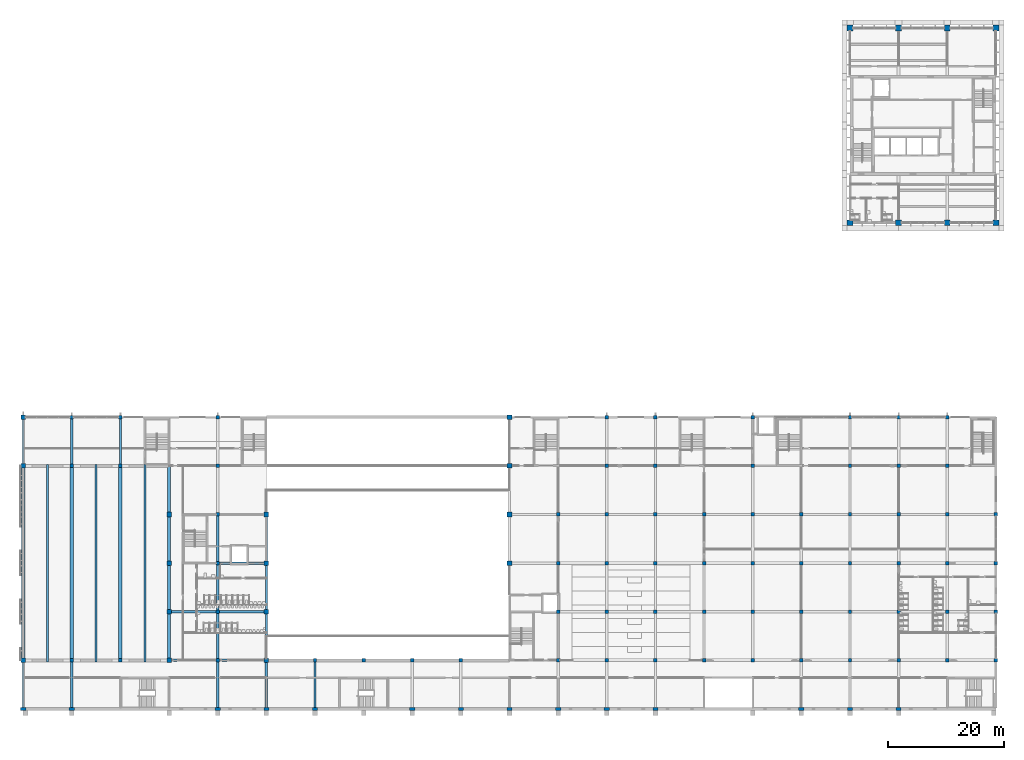
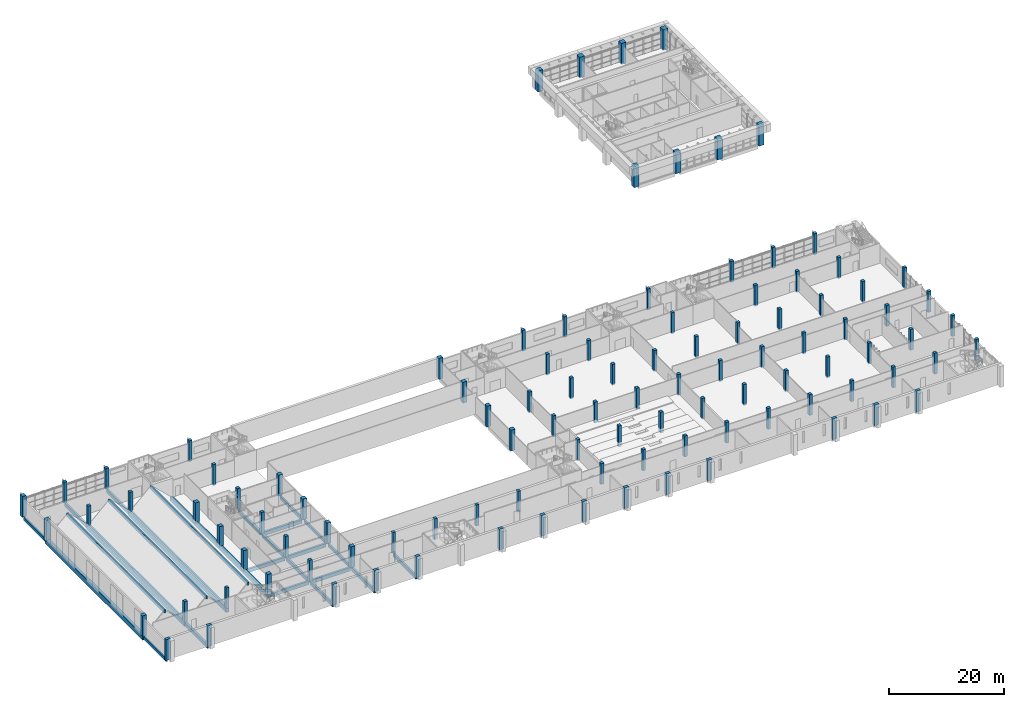
# One storey, part 1 of 56: 105 columns, 26 beams.
"""IFC4 building model written with IfcOpenShell, lengths in metres."""

from ifc_helpers import new_model, si_unit, direction, frame, origin, origin_2d, place, context, subcontext, project, spatial, rectangle, extrude, material, material_profile, profile_set, type_object, element, save


model = new_model("IFC4")

# Units and contexts
model_context = context("Model", 3, precision=1e-05, world=origin(), true_north=direction((0.0, 1.0)))
body_context = subcontext(model_context, "Body", "Model", "MODEL_VIEW")
ifc_project = project(units=[si_unit("LENGTHUNIT", "METRE"), si_unit("AREAUNIT", "SQUARE_METRE"), si_unit("VOLUMEUNIT", "CUBIC_METRE"), si_unit("PLANEANGLEUNIT", "RADIAN"), si_unit("MASSUNIT", "GRAM", prefix="KILO")], contexts=[model_context])

# Site, building, storey
site_placement = place(None, origin())
site = spatial("IfcSite", under=ifc_project, at=site_placement, CompositionType="ELEMENT")
building_placement = place(site_placement, origin())
building = spatial("IfcBuilding", under=site, at=building_placement, Name="Rulbaag Community and Learning Centre", CompositionType="ELEMENT")
storey_placement = place(building_placement, frame((0.0, 0.0, 9.89990234375)))
storey = spatial("IfcBuildingStorey", under=building, at=storey_placement, Name="L02", CompositionType="ELEMENT", Elevation=9.89990234375)

# Columns
ifc_material_1 = material(Name="Concrete M40", Category="concrete")
ifc_material_profile_1 = material_profile(ifc_material_1, rectangle(XDim=0.89990234375, YDim=0.60009765625, at=origin_2d()), Name="RC900x600")
ifc_profile_set_1 = profile_set([ifc_material_profile_1], Name="Concrete M40")
column_type_1 = type_object("IfcColumnType", Name="C1 Pilaster 900x600 Concrete M40", PredefinedType="PILASTER", material=ifc_profile_set_1)
for number, where, z_axis, x_axis, name in (
    (1, (0.0, 0.0, -0.25), (0.0, 0.0, 1.0), (1.0, 0.0, 0.0), "COL-1A-L02"),
    (2, (8.39990234375, 0.0, -0.25), (0.0, 0.0, 1.0), (1.0, 0.0, 0.0), "COL-2A-L02"),
    (3, (33.60009765625, 0.0, -0.25), (0.0, 0.0, 1.0), (1.0, 0.0, 0.0), "COL-5A-L02"),
    (4, (42.0, 0.0, -0.25), (0.0, 0.0, 1.0), (1.0, 0.0, 0.0), "COL-6A-L02"),
    (5, (50.39990234375, 0.0, -0.25), (0.0, 0.0, 1.0), (1.0, 0.0, 0.0), "COL-7A-L02"),
    (6, (67.199951171875, 0.0, -0.25), (0.0, 0.0, 1.0), (1.0, 0.0, 0.0), "COL-9A-L02"),
    (7, (75.60009765625, 0.0, -0.25), (0.0, 0.0, 1.0), (1.0, 0.0, 0.0), "COL-10A-L02"),
    (8, (84.0, 0.0, -0.25), (0.0, 0.0, 1.0), (1.0, 0.0, 0.0), "COL-11A-L02"),
    (9, (92.39990234375, 0.0, -0.25), (0.0, 0.0, 1.0), (1.0, 0.0, 0.0), "COL-12A-L02"),
    (10, (100.800048828125, 0.0, -0.25), (0.0, 0.0, 1.0), (1.0, 0.0, 0.0), "COL-13A-L02"),
    (11, (109.199951171875, 0.0, -0.25), (0.0, 0.0, 1.0), (1.0, 0.0, 0.0), "COL-14A-L02"),
    (12, (134.39990234375, 0.0, -0.25), (0.0, 0.0, 1.0), (1.0, 0.0, 0.0), "COL-17A-L02"),
    (13, (142.800048828125, 0.0, -0.25), (0.0, 0.0, 1.0), (1.0, 0.0, 0.0), "COL-18A-L02"),
    (14, (151.199951171875, 0.0, -0.25), (0.0, 0.0, 1.0), (1.0, 0.0, 0.0), "COL-19A-L02"),
):
    element("IfcColumn", number, at=place(storey_placement, frame(where, z_axis=z_axis, x_axis=x_axis)), inside=storey, type_object=column_type_1, Name=name, PredefinedType="PILASTER", context=body_context, shape_type="SweptSolid", body=[
        extrude(rectangle(XDim=0.89990234375, YDim=0.60009765625, at=origin_2d()), origin(), (0.0, 0.0, 1.0), 4.4501953125),
    ])
ifc_material_2 = material(Name="Concrete M60", Category="concrete")
ifc_material_profile_2 = material_profile(ifc_material_2, rectangle(XDim=1.0, YDim=1.0, at=origin_2d()), Name="RC1000x1000")
ifc_profile_set_2 = profile_set([ifc_material_profile_2], Name="Concrete M60")
column_type_2 = type_object("IfcColumnType", Name="C10 Column 1000x1000 Concrete M60", PredefinedType="COLUMN", material=ifc_profile_set_2)
for number, where, z_axis, x_axis, name in (
    (15, (142.800048828125, 84.0, -0.25), (0.0, 0.0, 1.0), (1.0, 0.0, 0.0), "COL-18K-L02"),
    (16, (142.800048828125, 117.60009765625, -0.25), (0.0, 0.0, 1.0), (1.0, 0.0, 0.0), "COL-18O-L02"),
    (17, (151.199951171875, 84.0, -0.25), (0.0, 0.0, 1.0), (1.0, 0.0, 0.0), "COL-19K-L02"),
    (18, (151.199951171875, 117.60009765625, -0.25), (0.0, 0.0, 1.0), (1.0, 0.0, 0.0), "COL-19O-L02"),
    (19, (159.60009765625, 84.0, -0.25), (0.0, 0.0, 1.0), (1.0, 0.0, 0.0), "COL-20K-L02"),
    (20, (159.60009765625, 117.60009765625, -0.25), (0.0, 0.0, 1.0), (1.0, 0.0, 0.0), "COL-20O-L02"),
    (21, (168.0, 84.0, -0.25), (0.0, 0.0, 1.0), (1.0, 0.0, 0.0), "COL-21K-L02"),
    (22, (168.0, 117.60009765625, -0.25), (0.0, 0.0, 1.0), (1.0, 0.0, 0.0), "COL-21O-L02"),
):
    element("IfcColumn", number, at=place(storey_placement, frame(where, z_axis=z_axis, x_axis=x_axis)), inside=storey, type_object=column_type_2, Name=name, PredefinedType="COLUMN", context=body_context, shape_type="SweptSolid", body=[
        extrude(rectangle(XDim=1.0, YDim=1.0, at=origin_2d()), origin(), (0.0, 0.0, 1.0), 4.4501953125),
    ])
ifc_material_profile_3 = material_profile(ifc_material_2, rectangle(XDim=0.800048828125, YDim=0.800048828125, at=origin_2d()), Name="RC800x800")
ifc_profile_set_3 = profile_set([ifc_material_profile_3], Name="Concrete M60")
column_type_3 = type_object("IfcColumnType", Name="C4 Column 800x800 Concrete M60", PredefinedType="COLUMN", material=ifc_profile_set_3)
for number, where, z_axis, x_axis, name in (
    (23, (0.0, 8.39990234375, -0.25), (0.0, 0.0, 1.0), (1.0, 0.0, 0.0), "COL-1B-L02"),
    (24, (0.0, 42.0, -0.25), (0.0, 0.0, 1.0), (1.0, 0.0, 0.0), "COL-1F-L02"),
    (25, (0.0, 50.39990234375, -0.25), (0.0, 0.0, 1.0), (1.0, 0.0, 0.0), "COL-1G-L02"),
    (26, (25.199951171875, 8.39990234375, -0.25), (0.0, 0.0, 1.0), (1.0, 0.0, 0.0), "COL-4B-L02"),
    (27, (25.199951171875, 16.800048828125, -0.25), (0.0, 0.0, 1.0), (1.0, 0.0, 0.0), "COL-4C-L02"),
    (28, (25.199951171875, 25.199951171875, -0.25), (0.0, 0.0, 1.0), (1.0, 0.0, 0.0), "COL-4D-L02"),
    (29, (25.199951171875, 33.60009765625, -0.25), (0.0, 0.0, 1.0), (1.0, 0.0, 0.0), "COL-4E-L02"),
    (30, (42.0, 8.39990234375, -0.25), (0.0, 0.0, 1.0), (1.0, 0.0, 0.0), "COL-6B-L02"),
    (31, (42.0, 16.800048828125, -0.25), (0.0, 0.0, 1.0), (1.0, 0.0, 0.0), "COL-6C-L02"),
    (32, (42.0, 25.199951171875, -0.25), (0.0, 0.0, 1.0), (1.0, 0.0, 0.0), "COL-6D-L02"),
    (33, (42.0, 33.60009765625, -0.25), (0.0, 0.0, 1.0), (1.0, 0.0, 0.0), "COL-6E-L02"),
    (34, (84.0, 25.199951171875, -0.25), (0.0, 0.0, 1.0), (1.0, 0.0, 0.0), "COL-11D-L02"),
    (35, (84.0, 33.60009765625, -0.25), (0.0, 0.0, 1.0), (1.0, 0.0, 0.0), "COL-11E-L02"),
    (36, (84.0, 42.0, -0.25), (0.0, 0.0, 1.0), (1.0, 0.0, 0.0), "COL-11F-L02"),
    (37, (84.0, 50.39990234375, -0.25), (0.0, 0.0, 1.0), (1.0, 0.0, 0.0), "COL-11G-L02"),
):
    element("IfcColumn", number, at=place(storey_placement, frame(where, z_axis=z_axis, x_axis=x_axis)), inside=storey, type_object=column_type_3, Name=name, PredefinedType="COLUMN", context=body_context, shape_type="SweptSolid", body=[
        extrude(rectangle(XDim=0.800048828125, YDim=0.800048828125, at=origin_2d()), origin(), (0.0, 0.0, 1.0), 4.4501953125),
    ])
ifc_material_profile_4 = material_profile(ifc_material_1, rectangle(XDim=0.60009765625, YDim=0.60009765625, at=origin_2d()), Name="RC600x600")
ifc_profile_set_4 = profile_set([ifc_material_profile_4], Name="Concrete M40")
column_type_4 = type_object("IfcColumnType", Name="C7 Column 600x600 Concrete M40", PredefinedType="COLUMN", material=ifc_profile_set_4)
for number, where, z_axis, x_axis, name in (
    (38, (8.39990234375, 8.39990234375, -0.25), (0.0, 0.0, 1.0), (1.0, 0.0, 0.0), "COL-2B-L02"),
    (39, (8.39990234375, 42.0, -0.25), (0.0, 0.0, 1.0), (1.0, 0.0, 0.0), "COL-2F-L02"),
    (40, (8.39990234375, 50.39990234375, -0.25), (0.0, 0.0, 1.0), (1.0, 0.0, 0.0), "COL-2G-L02"),
    (41, (16.800048828125, 8.39990234375, -0.25), (0.0, 0.0, 1.0), (1.0, 0.0, 0.0), "COL-3B-L02"),
    (42, (16.800048828125, 42.0, -0.25), (0.0, 0.0, 1.0), (1.0, 0.0, 0.0), "COL-3F-L02"),
    (43, (16.800048828125, 50.39990234375, -0.25), (0.0, 0.0, 1.0), (1.0, 0.0, 0.0), "COL-3G-L02"),
    (44, (33.60009765625, 8.39990234375, -0.25), (0.0, 0.0, 1.0), (1.0, 0.0, 0.0), "COL-5B-L02"),
    (45, (33.60009765625, 16.800048828125, -0.25), (0.0, 0.0, 1.0), (1.0, 0.0, 0.0), "COL-5C-L02"),
    (46, (33.60009765625, 25.199951171875, -0.25), (0.0, 0.0, 1.0), (1.0, 0.0, 0.0), "COL-5D-L02"),
    (47, (33.60009765625, 33.60009765625, -0.25), (0.0, 0.0, 1.0), (1.0, 0.0, 0.0), "COL-5E-L02"),
    (48, (33.60009765625, 42.0, -0.25), (0.0, 0.0, 1.0), (1.0, 0.0, 0.0), "COL-5F-L02"),
    (49, (33.60009765625, 50.39990234375, -0.25), (0.0, 0.0, 1.0), (1.0, 0.0, 0.0), "COL-5G-L02"),
    (50, (50.39990234375, 8.39990234375, -0.25), (0.0, 0.0, 1.0), (1.0, 0.0, 0.0), "COL-7B-L02"),
    (51, (58.800048828125, 8.39990234375, -0.25), (0.0, 0.0, 1.0), (1.0, 0.0, 0.0), "COL-8B-L02"),
    (52, (67.199951171875, 8.39990234375, -0.25), (0.0, 0.0, 1.0), (1.0, 0.0, 0.0), "COL-9B-L02"),
    (53, (75.60009765625, 8.39990234375, -0.25), (0.0, 0.0, 1.0), (1.0, 0.0, 0.0), "COL-10B-L02"),
    (54, (92.39990234375, 8.39990234375, -0.25), (0.0, 0.0, 1.0), (1.0, 0.0, 0.0), "COL-12B-L02"),
    (55, (92.39990234375, 16.800048828125, -0.25), (0.0, 0.0, 1.0), (1.0, 0.0, 0.0), "COL-12C-L02"),
    (56, (92.39990234375, 25.199951171875, -0.25), (0.0, 0.0, 1.0), (1.0, 0.0, 0.0), "COL-12D-L02"),
    (57, (92.39990234375, 33.60009765625, -0.25), (0.0, 0.0, 1.0), (1.0, 0.0, 0.0), "COL-12E-L02"),
    (58, (100.800048828125, 8.39990234375, -0.25), (0.0, 0.0, 1.0), (1.0, 0.0, 0.0), "COL-13B-L02"),
    (59, (100.800048828125, 16.800048828125, -0.25), (0.0, 0.0, 1.0), (1.0, 0.0, 0.0), "COL-13C-L02"),
    (60, (100.800048828125, 25.199951171875, -0.25), (0.0, 0.0, 1.0), (1.0, 0.0, 0.0), "COL-13D-L02"),
    (61, (100.800048828125, 33.60009765625, -0.25), (0.0, 0.0, 1.0), (1.0, 0.0, 0.0), "COL-13E-L02"),
    (62, (100.800048828125, 42.0, -0.25), (0.0, 0.0, 1.0), (1.0, 0.0, 0.0), "COL-13F-L02"),
    (63, (100.800048828125, 50.39990234375, -0.25), (0.0, 0.0, 1.0), (1.0, 0.0, 0.0), "COL-13G-L02"),
    (64, (109.199951171875, 8.39990234375, -0.25), (0.0, 0.0, 1.0), (1.0, 0.0, 0.0), "COL-14B-L02"),
    (65, (109.199951171875, 16.800048828125, -0.25), (0.0, 0.0, 1.0), (1.0, 0.0, 0.0), "COL-14C-L02"),
    (66, (109.199951171875, 25.199951171875, -0.25), (0.0, 0.0, 1.0), (1.0, 0.0, 0.0), "COL-14D-L02"),
    (67, (109.199951171875, 33.60009765625, -0.25), (0.0, 0.0, 1.0), (1.0, 0.0, 0.0), "COL-14E-L02"),
    (68, (109.199951171875, 42.0, -0.25), (0.0, 0.0, 1.0), (1.0, 0.0, 0.0), "COL-14F-L02"),
    (69, (109.199951171875, 50.39990234375, -0.25), (0.0, 0.0, 1.0), (1.0, 0.0, 0.0), "COL-14G-L02"),
    (70, (117.60009765625, 8.39990234375, -0.25), (0.0, 0.0, 1.0), (1.0, 0.0, 0.0), "COL-15B-L02"),
    (71, (117.60009765625, 16.800048828125, -0.25), (0.0, 0.0, 1.0), (1.0, 0.0, 0.0), "COL-15C-L02"),
    (72, (117.60009765625, 25.199951171875, -0.25), (0.0, 0.0, 1.0), (1.0, 0.0, 0.0), "COL-15D-L02"),
    (73, (117.60009765625, 33.60009765625, -0.25), (0.0, 0.0, 1.0), (1.0, 0.0, 0.0), "COL-15E-L02"),
    (74, (126.0, 8.39990234375, -0.25), (0.0, 0.0, 1.0), (1.0, 0.0, 0.0), "COL-16B-L02"),
    (75, (126.0, 16.800048828125, -0.25), (0.0, 0.0, 1.0), (1.0, 0.0, 0.0), "COL-16C-L02"),
    (76, (126.0, 25.199951171875, -0.25), (0.0, 0.0, 1.0), (1.0, 0.0, 0.0), "COL-16D-L02"),
    (77, (126.0, 33.60009765625, -0.25), (0.0, 0.0, 1.0), (1.0, 0.0, 0.0), "COL-16E-L02"),
    (78, (126.0, 42.0, -0.25), (0.0, 0.0, 1.0), (1.0, 0.0, 0.0), "COL-16F-L02"),
    (79, (126.0, 50.39990234375, -0.25), (0.0, 0.0, 1.0), (1.0, 0.0, 0.0), "COL-16G-L02"),
    (80, (134.39990234375, 8.39990234375, -0.25), (0.0, 0.0, 1.0), (1.0, 0.0, 0.0), "COL-17B-L02"),
    (81, (134.39990234375, 16.800048828125, -0.25), (0.0, 0.0, 1.0), (1.0, 0.0, 0.0), "COL-17C-L02"),
    (82, (134.39990234375, 25.199951171875, -0.25), (0.0, 0.0, 1.0), (1.0, 0.0, 0.0), "COL-17D-L02"),
    (83, (134.39990234375, 33.60009765625, -0.25), (0.0, 0.0, 1.0), (1.0, 0.0, 0.0), "COL-17E-L02"),
    (84, (142.800048828125, 8.39990234375, -0.25), (0.0, 0.0, 1.0), (1.0, 0.0, 0.0), "COL-18B-L02"),
    (85, (142.800048828125, 16.800048828125, -0.25), (0.0, 0.0, 1.0), (1.0, 0.0, 0.0), "COL-18C-L02"),
    (86, (142.800048828125, 25.199951171875, -0.25), (0.0, 0.0, 1.0), (1.0, 0.0, 0.0), "COL-18D-L02"),
    (87, (142.800048828125, 33.60009765625, -0.25), (0.0, 0.0, 1.0), (1.0, 0.0, 0.0), "COL-18E-L02"),
    (88, (142.800048828125, 42.0, -0.25), (0.0, 0.0, 1.0), (1.0, 0.0, 0.0), "COL-18F-L02"),
    (89, (142.800048828125, 50.39990234375, -0.25), (0.0, 0.0, 1.0), (1.0, 0.0, 0.0), "COL-18G-L02"),
    (90, (151.199951171875, 8.39990234375, -0.25), (0.0, 0.0, 1.0), (1.0, 0.0, 0.0), "COL-19B-L02"),
    (91, (151.199951171875, 16.800048828125, -0.25), (0.0, 0.0, 1.0), (1.0, 0.0, 0.0), "COL-19C-L02"),
    (92, (151.199951171875, 25.199951171875, -0.25), (0.0, 0.0, 1.0), (1.0, 0.0, 0.0), "COL-19D-L02"),
    (93, (151.199951171875, 33.60009765625, -0.25), (0.0, 0.0, 1.0), (1.0, 0.0, 0.0), "COL-19E-L02"),
    (94, (151.199951171875, 42.0, -0.25), (0.0, 0.0, 1.0), (1.0, 0.0, 0.0), "COL-19F-L02"),
    (95, (151.199951171875, 50.39990234375, -0.25), (0.0, 0.0, 1.0), (1.0, 0.0, 0.0), "COL-19G-L02"),
    (96, (159.60009765625, 8.39990234375, -0.25), (0.0, 0.0, 1.0), (1.0, 0.0, 0.0), "COL-20B-L02"),
    (97, (159.60009765625, 16.800048828125, -0.25), (0.0, 0.0, 1.0), (1.0, 0.0, 0.0), "COL-20C-L02"),
    (98, (159.60009765625, 25.199951171875, -0.25), (0.0, 0.0, 1.0), (1.0, 0.0, 0.0), "COL-20D-L02"),
    (99, (159.60009765625, 33.60009765625, -0.25), (0.0, 0.0, 1.0), (1.0, 0.0, 0.0), "COL-20E-L02"),
    (100, (159.60009765625, 42.0, -0.25), (0.0, 0.0, 1.0), (1.0, 0.0, 0.0), "COL-20F-L02"),
    (101, (159.60009765625, 50.39990234375, -0.25), (0.0, 0.0, 1.0), (1.0, 0.0, 0.0), "COL-20G-L02"),
    (102, (168.0, 8.39990234375, -0.25), (0.0, 0.0, 1.0), (1.0, 0.0, 0.0), "COL-21B-L02"),
    (103, (168.0, 16.800048828125, -0.25), (0.0, 0.0, 1.0), (1.0, 0.0, 0.0), "COL-21C-L02"),
    (104, (168.0, 25.199951171875, -0.25), (0.0, 0.0, 1.0), (1.0, 0.0, 0.0), "COL-21D-L02"),
    (105, (168.0, 33.60009765625, -0.25), (0.0, 0.0, 1.0), (1.0, 0.0, 0.0), "COL-21E-L02"),
):
    element("IfcColumn", number, at=place(storey_placement, frame(where, z_axis=z_axis, x_axis=x_axis)), inside=storey, type_object=column_type_4, Name=name, PredefinedType="COLUMN", context=body_context, shape_type="SweptSolid", body=[
        extrude(rectangle(XDim=0.60009765625, YDim=0.60009765625, at=origin_2d()), origin(), (0.0, 0.0, 1.0), 4.4501953125),
    ])

# Beams
ifc_material_profile_5 = material_profile(ifc_material_1, rectangle(XDim=0.39990234375, YDim=0.75, at=origin_2d()), Name="RB400x750")
ifc_profile_set_5 = profile_set([ifc_material_profile_5], Name="Concrete M40")
beam_type_1 = type_object("IfcBeamType", Name="B22 Classroom floor beam 400x750 Concrete M40", PredefinedType="BEAM", material=ifc_profile_set_5)
beam_1_placement = place(storey_placement, frame((8.39990234375, 0.22509765625, -0.625), z_axis=(0.0, 1.0, 0.0), x_axis=(-1.0, 0.0, 0.0)))
element("IfcBeam", 106, at=beam_1_placement, inside=storey, type_object=beam_type_1, Name="BM-L02-2A-2B", PredefinedType="BEAM", context=body_context, shape_type="SweptSolid", body=[
    extrude(rectangle(XDim=0.39990234375, YDim=0.75, at=origin_2d()), origin(), (0.0, 0.0, 1.0), 7.9248046875),
])
for number, where, z_axis, x_axis, name in (
    (107, (8.39990234375, 42.25, -0.625), (0.0, 1.0, 0.0), (-1.0, 0.0, 0.0), "BM-L02-2F-2G"),
    (108, (16.800048828125, 42.25, -0.625), (0.0, 1.0, 0.0), (-1.0, 0.0, 0.0), "BM-L02-3F-3G"),
):
    element("IfcBeam", number, at=place(storey_placement, frame(where, z_axis=z_axis, x_axis=x_axis)), inside=storey, type_object=beam_type_1, Name=name, PredefinedType="BEAM", context=body_context, shape_type="SweptSolid", body=[
        extrude(rectangle(XDim=0.39990234375, YDim=0.75, at=origin_2d()), origin(), (0.0, 0.0, 1.0), 7.844970703125),
    ])
for number, where, z_axis, x_axis, name in (
    (109, (25.60498046875, 8.39990234375, -0.625), (1.0, 0.0, 0.0), (0.0, 1.0, 0.0), "BM-L02-4B-5B"),
    (110, (25.60498046875, 16.800048828125, -0.625), (1.0, 0.0, 0.0), (0.0, 1.0, 0.0), "BM-L02-4C-5C"),
):
    element("IfcBeam", number, at=place(storey_placement, frame(where, z_axis=z_axis, x_axis=x_axis)), inside=storey, type_object=beam_type_1, Name=name, PredefinedType="BEAM", context=body_context, shape_type="SweptSolid", body=[
        extrude(rectangle(XDim=0.39990234375, YDim=0.75, at=origin_2d()), origin(), (0.0, 0.0, 1.0), 7.68994140625),
    ])
beam_2_placement = place(storey_placement, frame((33.60009765625, 0.22509765625, -0.625), z_axis=(0.0, 1.0, 0.0), x_axis=(-1.0, 0.0, 0.0)))
element("IfcBeam", 111, at=beam_2_placement, inside=storey, type_object=beam_type_1, Name="BM-L02-5A-5B", PredefinedType="BEAM", context=body_context, shape_type="SweptSolid", body=[
    extrude(rectangle(XDim=0.39990234375, YDim=0.75, at=origin_2d()), origin(), (0.0, 0.0, 1.0), 7.869873046875),
])
beam_3_placement = place(storey_placement, frame((33.905029296875, 8.39990234375, -0.625), z_axis=(1.0, 0.0, 0.0), x_axis=(0.0, 1.0, 0.0)))
element("IfcBeam", 112, at=beam_3_placement, inside=storey, type_object=beam_type_1, Name="BM-L02-5B-6B", PredefinedType="BEAM", context=body_context, shape_type="SweptSolid", body=[
    extrude(rectangle(XDim=0.39990234375, YDim=0.75, at=origin_2d()), origin(), (0.0, 0.0, 1.0), 7.68994140625),
])
beam_4_placement = place(storey_placement, frame((33.60009765625, 8.705078125, -0.625), z_axis=(0.0, 1.0, 0.0), x_axis=(-1.0, 0.0, 0.0)))
element("IfcBeam", 113, at=beam_4_placement, inside=storey, type_object=beam_type_1, Name="BM-L02-5B-5C", PredefinedType="BEAM", context=body_context, shape_type="SweptSolid", body=[
    extrude(rectangle(XDim=0.39990234375, YDim=0.75, at=origin_2d()), origin(), (0.0, 0.0, 1.0), 7.7900390625),
])
beam_5_placement = place(storey_placement, frame((33.905029296875, 16.800048828125, -0.625), z_axis=(1.0, 0.0, 0.0), x_axis=(0.0, 1.0, 0.0)))
element("IfcBeam", 114, at=beam_5_placement, inside=storey, type_object=beam_type_1, Name="BM-L02-5C-6C", PredefinedType="BEAM", context=body_context, shape_type="SweptSolid", body=[
    extrude(rectangle(XDim=0.39990234375, YDim=0.75, at=origin_2d()), origin(), (0.0, 0.0, 1.0), 7.68994140625),
])
beam_6_placement = place(storey_placement, frame((33.60009765625, 17.10498046875, -0.625), z_axis=(0.0, 1.0, 0.0), x_axis=(-1.0, 0.0, 0.0)))
element("IfcBeam", 115, at=beam_6_placement, inside=storey, type_object=beam_type_1, Name="BM-L02-5C-5D", PredefinedType="BEAM", context=body_context, shape_type="SweptSolid", body=[
    extrude(rectangle(XDim=0.39990234375, YDim=0.75, at=origin_2d()), origin(), (0.0, 0.0, 1.0), 7.7900390625),
])
beam_7_placement = place(storey_placement, frame((33.905029296875, 25.199951171875, -0.625), z_axis=(1.0, 0.0, 0.0), x_axis=(0.0, 1.0, 0.0)))
element("IfcBeam", 116, at=beam_7_placement, inside=storey, type_object=beam_type_1, Name="BM-L02-5D-6D", PredefinedType="BEAM", context=body_context, shape_type="SweptSolid", body=[
    extrude(rectangle(XDim=0.39990234375, YDim=0.75, at=origin_2d()), origin(), (0.0, 0.0, 1.0), 7.68994140625),
])
beam_8_placement = place(storey_placement, frame((33.60009765625, 25.5048828125, -0.625), z_axis=(0.0, 1.0, 0.0), x_axis=(-1.0, 0.0, 0.0)))
element("IfcBeam", 117, at=beam_8_placement, inside=storey, type_object=beam_type_1, Name="BM-L02-5D-5E", PredefinedType="BEAM", context=body_context, shape_type="SweptSolid", body=[
    extrude(rectangle(XDim=0.39990234375, YDim=0.75, at=origin_2d()), origin(), (0.0, 0.0, 1.0), 7.7900390625),
])
for number, where, z_axis, x_axis, name in (
    (118, (42.0, 0.22509765625, -0.625), (0.0, 1.0, 0.0), (-1.0, 0.0, 0.0), "BM-L02-6A-6B"),
    (119, (50.39990234375, 0.22509765625, -0.625), (0.0, 1.0, 0.0), (-1.0, 0.0, 0.0), "BM-L02-7A-7B"),
):
    element("IfcBeam", number, at=place(storey_placement, frame(where, z_axis=z_axis, x_axis=x_axis)), inside=storey, type_object=beam_type_1, Name=name, PredefinedType="BEAM", context=body_context, shape_type="SweptSolid", body=[
        extrude(rectangle(XDim=0.39990234375, YDim=0.75, at=origin_2d()), origin(), (0.0, 0.0, 1.0), 7.9248046875),
    ])
ifc_material_profile_6 = material_profile(ifc_material_2, rectangle(XDim=0.60009765625, YDim=1.10009765625, at=origin_2d()), Name="RB600x1100")
ifc_profile_set_6 = profile_set([ifc_material_profile_6], Name="Concrete M60")
beam_type_2 = type_object("IfcBeamType", Name="B33 Valley beam 600x1100 Concrete M60", PredefinedType="BEAM", material=ifc_profile_set_6)
for number, where, z_axis, x_axis, name in (
    (120, (0.0, 8.14990234375, -0.5498046875), (0.0, 1.0, 0.0), (-1.0, 0.0, 0.0), "BM-FV-P1"),
    (121, (8.39990234375, 8.14990234375, -0.5498046875), (0.0, 1.0, 0.0), (-1.0, 0.0, 0.0), "BM-FV-P2"),
    (122, (16.800048828125, 8.14990234375, -0.5498046875), (0.0, 1.0, 0.0), (-1.0, 0.0, 0.0), "BM-FV-P3"),
):
    element("IfcBeam", number, at=place(storey_placement, frame(where, z_axis=z_axis, x_axis=x_axis)), inside=storey, type_object=beam_type_2, Name=name, PredefinedType="BEAM", context=body_context, shape_type="SweptSolid", body=[
        extrude(rectangle(XDim=0.60009765625, YDim=1.10009765625, at=origin_2d()), origin(), (0.0, 0.0, 1.0), 34.10009765625),
    ])
ifc_material_profile_7 = material_profile(ifc_material_1, rectangle(XDim=0.5, YDim=0.89990234375, at=origin_2d()), Name="RB500x900")
ifc_profile_set_7 = profile_set([ifc_material_profile_7], Name="Concrete M40")
beam_type_3 = type_object("IfcBeamType", Name="B5 Edge valley beam 500x900 Concrete M40", PredefinedType="BEAM", material=ifc_profile_set_7)
beam_9_placement = place(storey_placement, frame((25.199951171875, 8.14990234375, -0.449951171875), z_axis=(0.0, 1.0, 0.0), x_axis=(-1.0, 0.0, 0.0)))
element("IfcBeam", 123, at=beam_9_placement, inside=storey, type_object=beam_type_3, Name="BM-FV-P4", PredefinedType="BEAM", context=body_context, shape_type="SweptSolid", body=[
    extrude(rectangle(XDim=0.5, YDim=0.89990234375, at=origin_2d()), origin(), (0.0, 0.0, 1.0), 34.10009765625),
])
ifc_material_profile_8 = material_profile(ifc_material_1, rectangle(XDim=0.35009765625, YDim=0.64990234375, at=origin_2d()), Name="RB350x650")
ifc_profile_set_8 = profile_set([ifc_material_profile_8], Name="Concrete M40")
beam_type_4 = type_object("IfcBeamType", Name="B6 Ridge beam 350x650 Concrete M40", PredefinedType="BEAM", material=ifc_profile_set_8)
for number, where, z_axis, x_axis, name in (
    (124, (4.199951171875, 8.14990234375, 3.50830078125), (0.0, 1.0, 0.0), (-1.0, 0.0, 0.0), "BM-FR-P1"),
    (125, (12.60009765625, 8.14990234375, 3.50830078125), (0.0, 1.0, 0.0), (-1.0, 0.0, 0.0), "BM-FR-P2"),
    (126, (21.0, 8.14990234375, 3.50830078125), (0.0, 1.0, 0.0), (-1.0, 0.0, 0.0), "BM-FR-P3"),
):
    element("IfcBeam", number, at=place(storey_placement, frame(where, z_axis=z_axis, x_axis=x_axis)), inside=storey, type_object=beam_type_4, Name=name, PredefinedType="BEAM", context=body_context, shape_type="SweptSolid", body=[
        extrude(rectangle(XDim=0.35009765625, YDim=0.64990234375, at=origin_2d()), origin(), (0.0, 0.0, 1.0), 34.10009765625),
    ])
ifc_material_profile_9 = material_profile(ifc_material_1, rectangle(XDim=0.35009765625, YDim=0.64990234375, at=origin_2d()), Name="RB350x650")
ifc_profile_set_9 = profile_set([ifc_material_profile_9], Name="Concrete M40")
beam_type_5 = type_object("IfcBeamType", Name="B8 Hall wing edge beam 350x650 Concrete M40", PredefinedType="BEAM", material=ifc_profile_set_9)
beam_10_placement = place(storey_placement, frame((0.0, 0.22509765625, -0.574951171875), z_axis=(0.0, 1.0, 0.0), x_axis=(-1.0, 0.0, 0.0)))
element("IfcBeam", 127, at=beam_10_placement, inside=storey, type_object=beam_type_5, Name="BM-L02-1A-1B", PredefinedType="BEAM", context=body_context, shape_type="SweptSolid", body=[
    extrude(rectangle(XDim=0.35009765625, YDim=0.64990234375, at=origin_2d()), origin(), (0.0, 0.0, 1.0), 7.9248046875),
])
for number, where, z_axis, x_axis, name in (
    (128, (0.0, 42.25, -0.574951171875), (0.0, 1.0, 0.0), (-1.0, 0.0, 0.0), "BM-L02-1F-1G"),
    (129, (42.0, 8.64990234375, -0.574951171875), (0.0, 1.0, 0.0), (-1.0, 0.0, 0.0), "BM-L02-6B-6C"),
):
    element("IfcBeam", number, at=place(storey_placement, frame(where, z_axis=z_axis, x_axis=x_axis)), inside=storey, type_object=beam_type_5, Name=name, PredefinedType="BEAM", context=body_context, shape_type="SweptSolid", body=[
        extrude(rectangle(XDim=0.35009765625, YDim=0.64990234375, at=origin_2d()), origin(), (0.0, 0.0, 1.0), 7.7451171875),
    ])
beam_11_placement = place(storey_placement, frame((42.0, 17.205078125, -0.574951171875), z_axis=(0.0, 1.0, 0.0), x_axis=(-1.0, 0.0, 0.0)))
element("IfcBeam", 130, at=beam_11_placement, inside=storey, type_object=beam_type_5, Name="BM-L02-6C-6D", PredefinedType="BEAM", context=body_context, shape_type="SweptSolid", body=[
    extrude(rectangle(XDim=0.35009765625, YDim=0.64990234375, at=origin_2d()), origin(), (0.0, 0.0, 1.0), 7.58984375),
])
beam_12_placement = place(storey_placement, frame((42.0, 25.60498046875, -0.574951171875), z_axis=(0.0, 1.0, 0.0), x_axis=(-1.0, 0.0, 0.0)))
element("IfcBeam", 131, at=beam_12_placement, inside=storey, type_object=beam_type_5, Name="BM-L02-6D-6E", PredefinedType="BEAM", context=body_context, shape_type="SweptSolid", body=[
    extrude(rectangle(XDim=0.35009765625, YDim=0.64990234375, at=origin_2d()), origin(), (0.0, 0.0, 1.0), 7.590087890625),
])

save(model, "model.ifc")
